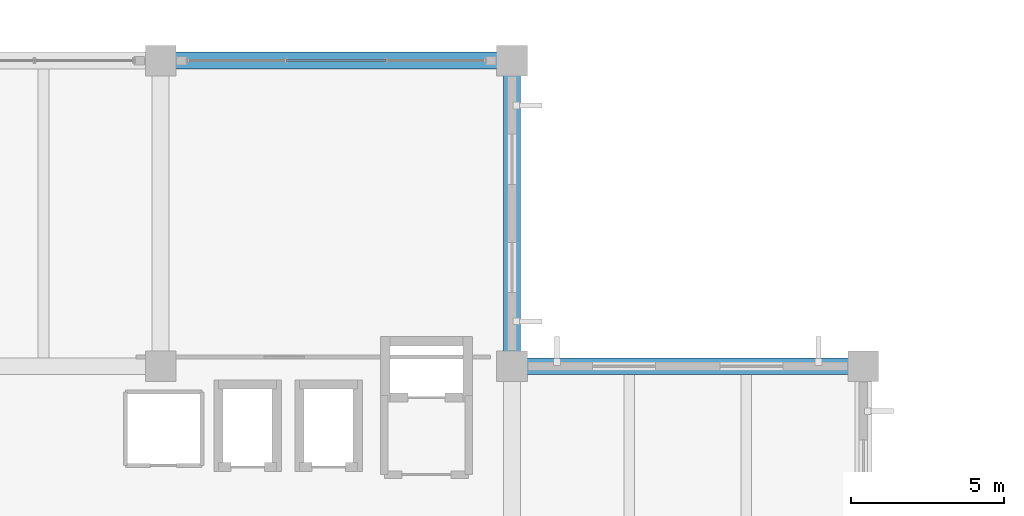
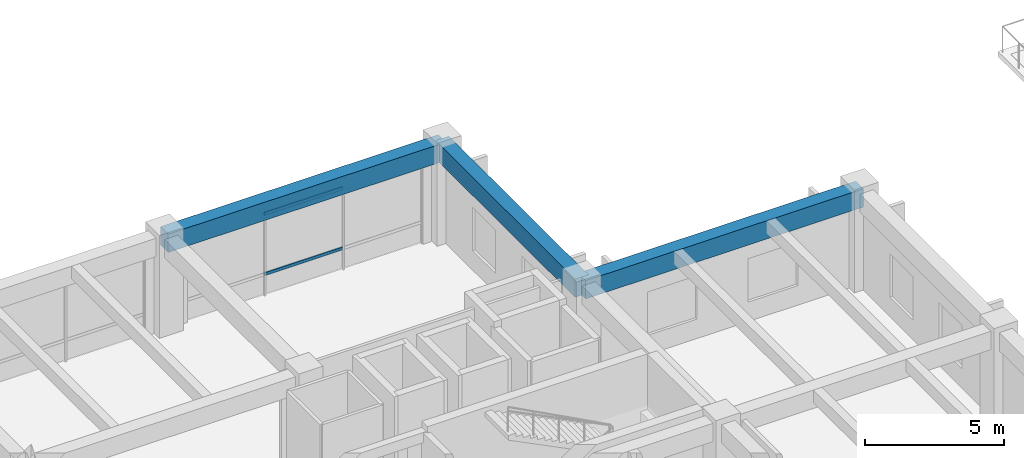
# One storey, part 120 of 154: 3 beams, 2 members, 1 element without a shape of its own.
"""IFC4 building model written with IfcOpenShell, lengths in metres."""

from ifc_helpers import new_model, si_unit, direction, frame, origin, origin_2d, place, context, subcontext, project, spatial, rectangle, hollow_rectangle, extrude, material, material_profile, profile_set, type_object, element, aggregate, save


model = new_model("IFC4")

# Units and contexts
model_context = context("Model", 3, precision=1e-05, world=origin(), true_north=direction((0.0, 1.0)))
body_context = subcontext(model_context, "Body", "Model", "MODEL_VIEW")
ifc_project = project(units=[si_unit("LENGTHUNIT", "METRE"), si_unit("AREAUNIT", "SQUARE_METRE"), si_unit("VOLUMEUNIT", "CUBIC_METRE"), si_unit("PLANEANGLEUNIT", "RADIAN"), si_unit("MASSUNIT", "GRAM", prefix="KILO")], contexts=[model_context])

# Site, building, storey
site_placement = place(None, origin())
site = spatial("IfcSite", under=ifc_project, at=site_placement, CompositionType="ELEMENT")
building_placement = place(site_placement, origin())
building = spatial("IfcBuilding", under=site, at=building_placement, Name="Ologun Quay Terminus", CompositionType="ELEMENT")
storey_placement = place(building_placement, frame((0.0, 0.0, 13.800048828125)))
storey = spatial("IfcBuildingStorey", under=building, at=storey_placement, Name="L03", CompositionType="ELEMENT", Elevation=13.800048828125)

# Beams
ifc_material_1 = material(Name="Concrete C40/50", Category="concrete")
ifc_material_profile_1 = material_profile(ifc_material_1, rectangle(XDim=0.550048828125, YDim=0.800048828125, at=origin_2d()), Name="RC 550x800")
ifc_profile_set_1 = profile_set([ifc_material_profile_1], Name="Concrete C40/50")
beam_type = type_object("IfcBeamType", Name="Courtyard Wing Primary Girder 550x800", PredefinedType="BEAM", material=ifc_profile_set_1)
for number, where, z_axis, x_axis, name in (
    (1, (149.5, 104.800048828125, 3.849853515625), (1.0, 0.0, 0.0), (0.0, 1.0, 0.0), "B4 Beam 14/J L03"),
    (2, (138.0, 114.800048828125, 3.849853515625), (1.0, 0.0, 0.0), (0.0, 1.0, 0.0), "B4 Beam 13/K L03"),
):
    element("IfcBeam", number, at=place(storey_placement, frame(where, z_axis=z_axis, x_axis=x_axis)), inside=storey, type_object=beam_type, Name=name, PredefinedType="BEAM", context=body_context, shape_type="SweptSolid", body=[
        extrude(rectangle(XDim=0.550048828125, YDim=0.800048828125, at=origin_2d()), origin(), (0.0, 0.0, 1.0), 11.5),
    ])
beam_placement = place(storey_placement, frame((149.5, 104.800048828125, 3.849853515625), z_axis=(0.0, 1.0, 0.0), x_axis=(-1.0, 0.0, 0.0)))
element("IfcBeam", 3, at=beam_placement, inside=storey, type_object=beam_type, Name="B4 Beam 14/J L03", PredefinedType="BEAM", context=body_context, shape_type="SweptSolid", body=[
    extrude(rectangle(XDim=0.550048828125, YDim=0.800048828125, at=origin_2d()), origin(), (0.0, 0.0, 1.0), 10.0),
])

# Curtain wall, members
ifc_material_2 = material(Name="Aluminium 6063-T6", Category="aluminium")
curtain_wall_type = type_object("IfcCurtainWallType", Name="Waterfront Pavilion Harbour Curtain Wall L03 10600x4150", PredefinedType="USERDEFINED", material=ifc_material_2)
curtain_wall_placement = place(storey_placement, origin())
curtain_wall = element("IfcCurtainWall", 4, at=curtain_wall_placement, inside=storey, type_object=curtain_wall_type, Name="CW-25 Curtain Wall CW-L03-141", ObjectType="UNITISED CURTAIN WALL", PredefinedType="USERDEFINED")
ifc_material_3 = material(Name="Aluminium 6063-T6", Category="aluminium")
ifc_material_profile_2 = material_profile(ifc_material_3, hollow_rectangle(XDim=0.06005859375, YDim=0.1298828125, WallThickness=0.00390625, at=origin_2d()), Name="ALU 130x60x4")
ifc_profile_set_2 = profile_set([ifc_material_profile_2], Name="Aluminium 6063-T6")
member_type = type_object("IfcMemberType", Name="Curtain Wall Heavy Transom 130x60", PredefinedType="USERDEFINED", material=ifc_profile_set_2)
member_1_placement = place(storey_placement, frame((142.123291015625, 114.800048828125, 0.89990234375), z_axis=(1.0, 0.0, 0.0), x_axis=(0.0, 1.0, 0.0)))
member_1 = element("IfcMember", 5, at=member_1_placement, type_object=member_type, Name="CW-L03-141 Transom B2-1", ObjectType="TRANSOM", PredefinedType="USERDEFINED", context=body_context, shape_type="SweptSolid", body=[
    extrude(hollow_rectangle(XDim=0.06005859375, YDim=0.1298828125, WallThickness=0.00390625, at=origin_2d()), origin(), (0.0, 0.0, 1.0), 3.25341796875),
])
member_2_placement = place(storey_placement, frame((142.123291015625, 114.800048828125, 3.530029296875), z_axis=(1.0, 0.0, 0.0), x_axis=(0.0, 1.0, 0.0)))
member_2 = element("IfcMember", 6, at=member_2_placement, type_object=member_type, Name="CW-L03-141 Transom B2-2", ObjectType="TRANSOM", PredefinedType="USERDEFINED", context=body_context, shape_type="SweptSolid", body=[
    extrude(hollow_rectangle(XDim=0.06005859375, YDim=0.1298828125, WallThickness=0.00390625, at=origin_2d()), origin(), (0.0, 0.0, 1.0), 3.25341796875),
])
aggregate(curtain_wall, [member_1, member_2])

save(model, "model.ifc")
